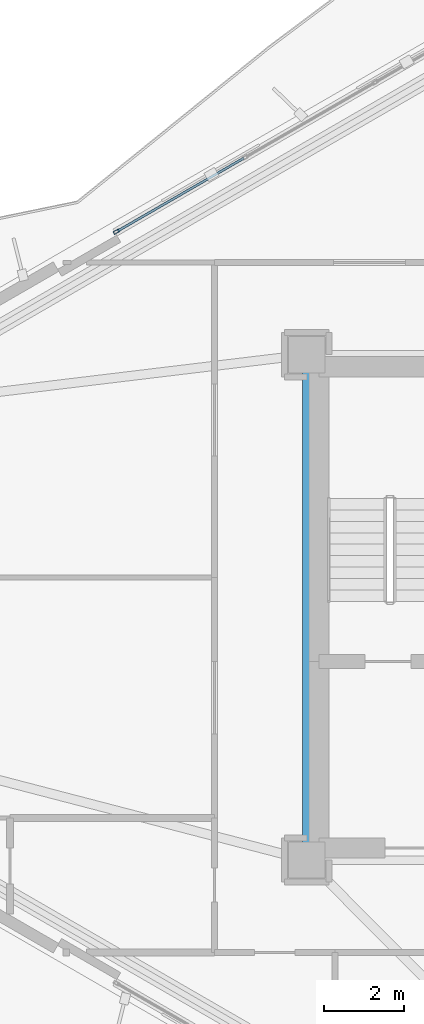
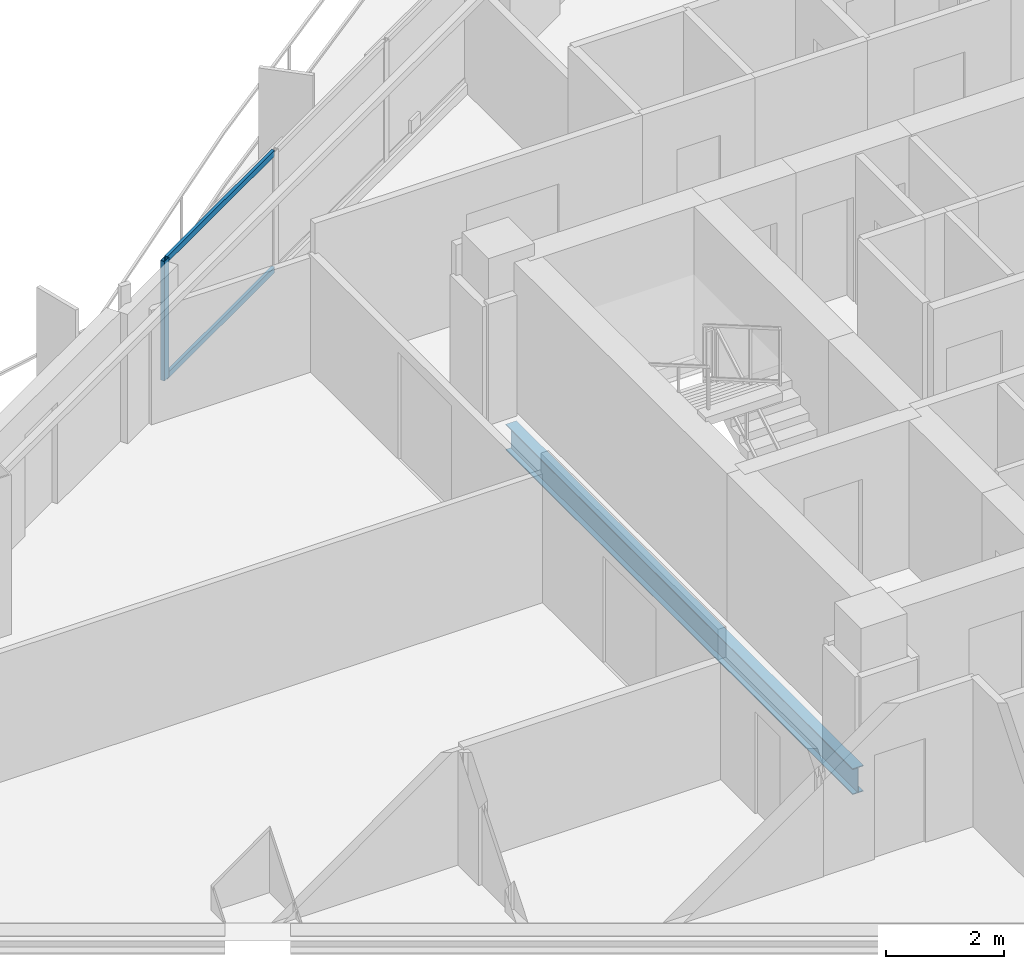
# One storey, part 6 of 22: 3 members, 1 beam, 1 element without a shape of its own.
"""IFC4 building model written with IfcOpenShell, lengths in metres."""

from ifc_helpers import new_model, si_unit, direction, frame, origin, origin_2d, place, context, subcontext, project, spatial, hollow_rectangle, i_section, extrude, material, layer, layer_set, material_profile, profile_set, type_object, element, aggregate, save


model = new_model("IFC4")

# Units and contexts
model_context = context("Model", 3, precision=1e-05, world=origin(), true_north=direction((0.0, 1.0)))
body_context = subcontext(model_context, "Body", "Model", "MODEL_VIEW")
ifc_project = project(units=[si_unit("LENGTHUNIT", "METRE"), si_unit("AREAUNIT", "SQUARE_METRE"), si_unit("VOLUMEUNIT", "CUBIC_METRE"), si_unit("PLANEANGLEUNIT", "RADIAN"), si_unit("MASSUNIT", "GRAM", prefix="KILO")], contexts=[model_context])

# Site, building, storey
site_placement = place(None, origin())
site = spatial("IfcSite", under=ifc_project, at=site_placement, CompositionType="ELEMENT")
building_placement = place(site_placement, origin())
building = spatial("IfcBuilding", under=site, at=building_placement, Name="Mersakhor Tower and Convention Hall", CompositionType="ELEMENT")
storey_placement = place(building_placement, frame((0.0, 0.0, 86.699951171875)))
storey = spatial("IfcBuildingStorey", under=building, at=storey_placement, Name="L23", CompositionType="ELEMENT", Elevation=86.699951171875)

# Beam
ifc_material_1 = material(Name="Steel S355", Category="steel")
ifc_material_profile_1 = material_profile(ifc_material_1, i_section(OverallWidth=0.2099609375, OverallDepth=0.53662109375, WebThickness=0.0107421875, FlangeThickness=0.017333984375, at=origin_2d()), Name="UB 533x210x101")
ifc_profile_set_1 = profile_set([ifc_material_profile_1], Name="Steel S355")
beam_type = type_object("IfcBeamType", Name="BM-FB-533", PredefinedType="BEAM", material=ifc_profile_set_1)
beam_placement = place(storey_placement, frame((21.89990234375, 20.8798828125, -0.518310546875), z_axis=(0.0, 1.0, 0.0), x_axis=(-1.0, 0.0, 0.0)))
element("IfcBeam", 1, at=beam_placement, inside=storey, type_object=beam_type, Name="L23 Core Ring Tie Beam CRB-1", PredefinedType="BEAM", context=body_context, shape_type="SweptSolid", body=[
    extrude(i_section(OverallWidth=0.2099609375, OverallDepth=0.53662109375, WebThickness=0.0107421875, FlangeThickness=0.017333984375, at=origin_2d()), origin(), (0.0, 0.0, 1.0), 11.740234375),
])

# Curtain wall, members
ifc_material_2 = material(Name="Dark solar low-E aluminium curtain wall", Category="aluminium")
ifc_layer = layer(ifc_material_2, 0.159912109375)
ifc_layer_set = layer_set([ifc_layer], Name="Dark solar low-E aluminium curtain wall")
curtain_wall_type = type_object("IfcCurtainWallType", Name="CW-SYS-01", PredefinedType="USERDEFINED", material=ifc_layer_set)
curtain_wall_placement = place(storey_placement, origin())
curtain_wall = element("IfcCurtainWall", 2, at=curtain_wall_placement, inside=storey, type_object=curtain_wall_type, Name="L23 Dark-Glass Curtain Wall F1-B2", ObjectType="CURTAIN WALL", PredefinedType="USERDEFINED")
ifc_material_3 = material(Name="Anodised aluminium EN AW-6063 T6", Category="aluminium")
ifc_material_profile_2 = material_profile(ifc_material_3, hollow_rectangle(XDim=0.074951171875, YDim=0.14990234375, WallThickness=0.00634765625, at=origin_2d()), Name="RHS 150x75x6.3")
ifc_profile_set_2 = profile_set([ifc_material_profile_2], Name="Anodised aluminium EN AW-6063 T6")
member_type_1 = type_object("IfcMemberType", Name="CWM-150x75", PredefinedType="MULLION", material=ifc_profile_set_2)
member_1_placement = place(storey_placement, frame((17.152587890625, 36.11572265625, 0.199951171875), z_axis=(0.0, 0.0, 1.0), x_axis=(-0.499997904985, 0.866026613339, 0.0)))
member_1 = element("IfcMember", 3, at=member_1_placement, type_object=member_type_1, Name="CW-01 mullion 1", PredefinedType="MULLION", context=body_context, shape_type="SweptSolid", body=[
    extrude(hollow_rectangle(XDim=0.074951171875, YDim=0.14990234375, WallThickness=0.00634765625, at=origin_2d()), origin(), (0.0, 0.0, 1.0), 2.47021484375),
])
ifc_material_4 = material(Name="Anodised aluminium EN AW-6063 T6", Category="aluminium")
ifc_material_profile_3 = material_profile(ifc_material_4, hollow_rectangle(XDim=0.06005859375, YDim=0.1201171875, WallThickness=0.0048828125, at=origin_2d()), Name="RHS 120x60x5")
ifc_profile_set_3 = profile_set([ifc_material_profile_3], Name="Anodised aluminium EN AW-6063 T6")
member_type_2 = type_object("IfcMemberType", Name="CWT-120x60", PredefinedType="USERDEFINED", material=ifc_profile_set_3)
member_2_placement = place(storey_placement, frame((17.18505859375, 36.134521484375, 0.22998046875), z_axis=(0.866045614266, 0.499964992784, 0.0), x_axis=(-0.499964992784, 0.866045614266, 0.0)))
member_2 = element("IfcMember", 4, at=member_2_placement, type_object=member_type_2, Name="CW-01 transom 1.1", ObjectType="TRANSOM", PredefinedType="USERDEFINED", context=body_context, shape_type="SweptSolid", body=[
    extrude(hollow_rectangle(XDim=0.06005859375, YDim=0.1201171875, WallThickness=0.0048828125, at=origin_2d()), origin(), (0.0, 0.0, 1.0), 3.630615234375),
])
member_3_placement = place(storey_placement, frame((17.18505859375, 36.134521484375, 2.64013671875), z_axis=(0.866045614266, 0.499964992784, 0.0), x_axis=(-0.499964992784, 0.866045614266, 0.0)))
member_3 = element("IfcMember", 5, at=member_3_placement, type_object=member_type_2, Name="CW-01 transom 1.2", ObjectType="TRANSOM", PredefinedType="USERDEFINED", context=body_context, shape_type="SweptSolid", body=[
    extrude(hollow_rectangle(XDim=0.06005859375, YDim=0.1201171875, WallThickness=0.0048828125, at=origin_2d()), origin(), (0.0, 0.0, 1.0), 3.630615234375),
])
aggregate(curtain_wall, [member_1, member_2, member_3])

save(model, "model.ifc")
